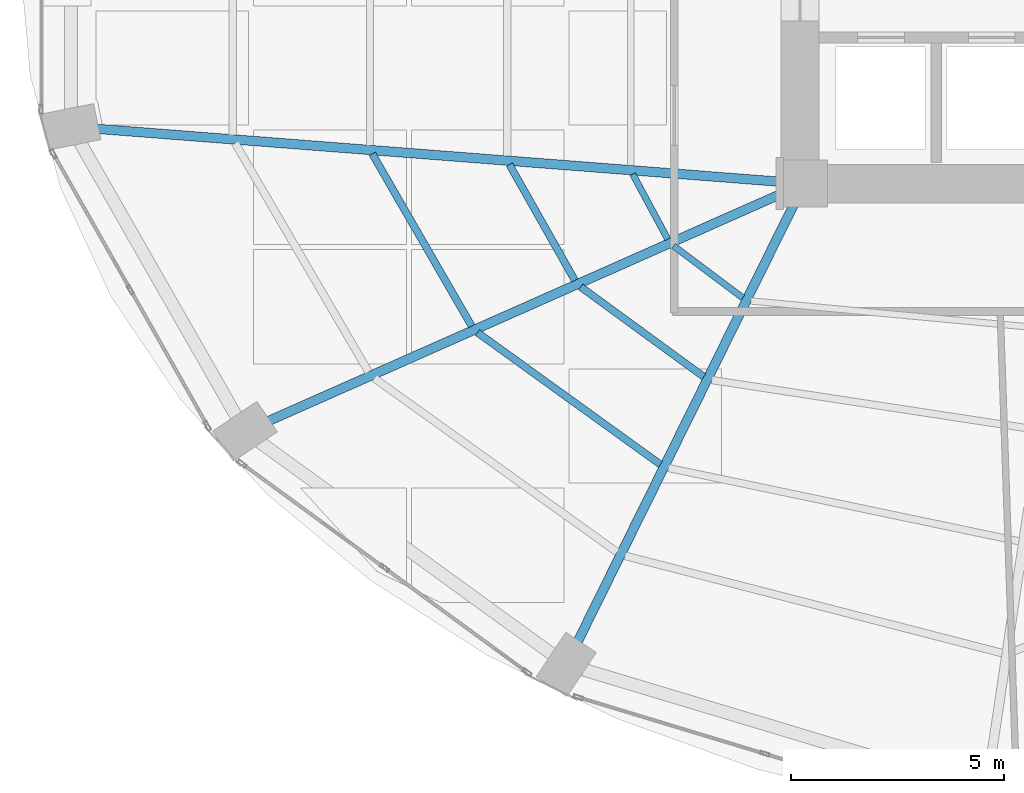
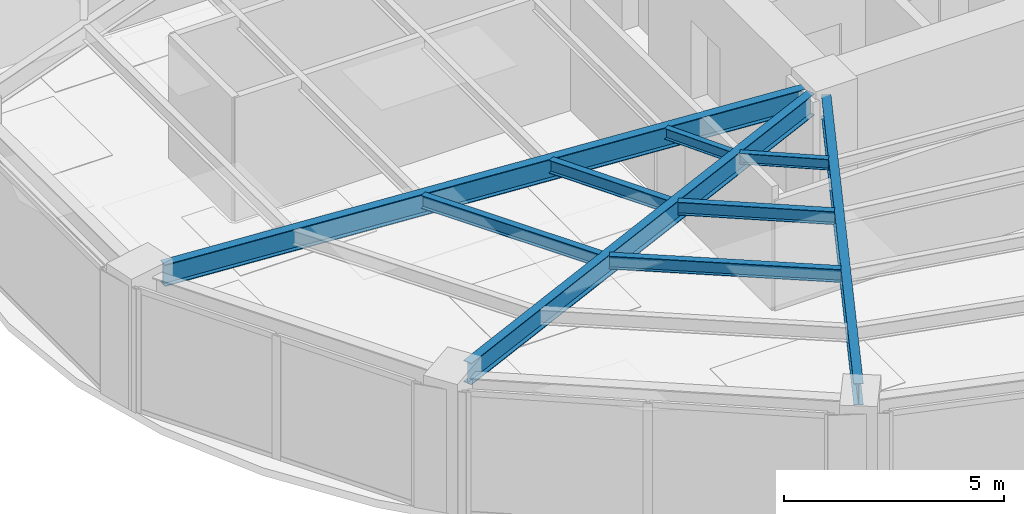
# One storey, part 4 of 24: 9 beams.
"""IFC4 building model written with IfcOpenShell, lengths in metres."""

from ifc_helpers import new_model, si_unit, direction, frame, origin, origin_2d, place, context, subcontext, project, spatial, i_section, extrude, material, material_profile, profile_set, type_object, element, save


model = new_model("IFC4")

# Units and contexts
model_context = context("Model", 3, precision=1e-05, world=origin(), true_north=direction((0.0, 1.0)))
body_context = subcontext(model_context, "Body", "Model", "MODEL_VIEW")
ifc_project = project(units=[si_unit("LENGTHUNIT", "METRE"), si_unit("AREAUNIT", "SQUARE_METRE"), si_unit("VOLUMEUNIT", "CUBIC_METRE"), si_unit("PLANEANGLEUNIT", "RADIAN"), si_unit("MASSUNIT", "GRAM", prefix="KILO")], contexts=[model_context])

# Site, building, storey
site_placement = place(None, origin())
site = spatial("IfcSite", under=ifc_project, at=site_placement, CompositionType="ELEMENT")
building_placement = place(site_placement, origin())
building = spatial("IfcBuilding", under=site, at=building_placement, Name="Lazwardi Medical Tower", CompositionType="ELEMENT")
storey_placement = place(building_placement, frame((0.0, 0.0, 54.384033203125)))
storey = spatial("IfcBuildingStorey", under=building, at=storey_placement, Name="L13", CompositionType="ELEMENT", Elevation=54.384033203125)

# Beams
ifc_material = material(Name="Steel S355", Category="steel")
ifc_material_profile_1 = material_profile(ifc_material, i_section(OverallWidth=0.219970703125, OverallDepth=0.60009765625, WebThickness=0.011962890625, FlangeThickness=0.01904296875, at=origin_2d()), Name="IPE 600")
ifc_profile_set_1 = profile_set([ifc_material_profile_1], Name="Steel S355")
beam_type_1 = type_object("IfcBeamType", Name="BM-RG-W1", PredefinedType="BEAM", material=ifc_profile_set_1)
beam_1_placement = place(storey_placement, frame((9.7783203125, 21.6875, 3.1279296875), z_axis=(0.997013942066, -0.077221754231, 0.0), x_axis=(0.077221754231, 0.997013942066, 0.0)))
element("IfcBeam", 1, at=beam_1_placement, inside=storey, type_object=beam_type_1, Name="Radial girder RG-02 R13 L13", PredefinedType="BEAM", context=body_context, shape_type="SweptSolid", body=[
    extrude(i_section(OverallWidth=0.219970703125, OverallDepth=0.60009765625, WebThickness=0.011962890625, FlangeThickness=0.01904296875, at=origin_2d()), origin(), (0.0, 0.0, 1.0), 16.136474609375),
])
beam_2_placement = place(storey_placement, frame((13.810302734375, 14.82080078125, 3.1279296875), z_axis=(0.914252189566, 0.405145571214, 0.0), x_axis=(-0.405145571214, 0.914252189566, 0.0)))
element("IfcBeam", 2, at=beam_2_placement, inside=storey, type_object=beam_type_1, Name="Radial girder RG-02 R14 L13", PredefinedType="BEAM", context=body_context, shape_type="SweptSolid", body=[
    extrude(i_section(OverallWidth=0.219970703125, OverallDepth=0.60009765625, WebThickness=0.011962890625, FlangeThickness=0.01904296875, at=origin_2d()), origin(), (0.0, 0.0, 1.0), 13.235595703125),
])
beam_3_placement = place(storey_placement, frame((21.076171875, 9.635986328125, 3.1279296875), z_axis=(0.443336723706, 0.896355146922, 0.0), x_axis=(-0.896355146922, 0.443336723706, 0.0)))
element("IfcBeam", 3, at=beam_3_placement, inside=storey, type_object=beam_type_1, Name="Radial girder RG-02 R15 L13", PredefinedType="BEAM", context=body_context, shape_type="SweptSolid", body=[
    extrude(i_section(OverallWidth=0.219970703125, OverallDepth=0.60009765625, WebThickness=0.011962890625, FlangeThickness=0.01904296875, at=origin_2d()), origin(), (0.0, 0.0, 1.0), 11.4736328125),
])
ifc_material_profile_2 = material_profile(ifc_material, i_section(OverallWidth=0.169921875, OverallDepth=0.360107421875, WebThickness=0.008056640625, FlangeThickness=0.0126953125, at=origin_2d()), Name="IPE 360")
ifc_profile_set_2 = profile_set([ifc_material_profile_2], Name="Steel S355")
beam_type_2 = type_object("IfcBeamType", Name="BM-SJ-02", PredefinedType="JOIST", material=ifc_profile_set_2)
beam_4_placement = place(storey_placement, frame((16.26611328125, 21.09814453125, 3.248046875), z_axis=(0.499785866494, -0.866148998529, 0.0), x_axis=(0.866148998529, 0.499785866494, 0.0)))
element("IfcBeam", 4, at=beam_4_placement, inside=storey, type_object=beam_type_2, Name="Secondary joist SJ-02 R2 B13 L13", PredefinedType="JOIST", context=body_context, shape_type="SweptSolid", body=[
    extrude(i_section(OverallWidth=0.169921875, OverallDepth=0.360107421875, WebThickness=0.008056640625, FlangeThickness=0.0126953125, at=origin_2d()), origin(), (0.0, 0.0, 1.0), 4.666015625),
])
beam_5_placement = place(storey_placement, frame((18.73583984375, 16.904296875, 3.248046875), z_axis=(0.811142764961, -0.584848198127, 0.0), x_axis=(0.584848198127, 0.811142764961, 0.0)))
element("IfcBeam", 5, at=beam_5_placement, inside=storey, type_object=beam_type_2, Name="Secondary joist SJ-02 R2 B14 L13", PredefinedType="JOIST", context=body_context, shape_type="SweptSolid", body=[
    extrude(i_section(OverallWidth=0.169921875, OverallDepth=0.360107421875, WebThickness=0.008056640625, FlangeThickness=0.0126953125, at=origin_2d()), origin(), (0.0, 0.0, 1.0), 5.28857421875),
])
beam_6_placement = place(storey_placement, frame((19.48291015625, 20.848388671875, 3.248046875), z_axis=(0.491923287977, -0.870638546554, 0.0), x_axis=(0.870638546554, 0.491923287977, 0.0)))
element("IfcBeam", 6, at=beam_6_placement, inside=storey, type_object=beam_type_2, Name="Secondary joist SJ-02 R3 B13 L13", PredefinedType="JOIST", context=body_context, shape_type="SweptSolid", body=[
    extrude(i_section(OverallWidth=0.169921875, OverallDepth=0.360107421875, WebThickness=0.008056640625, FlangeThickness=0.0126953125, at=origin_2d()), origin(), (0.0, 0.0, 1.0), 3.122802734375),
])
beam_7_placement = place(storey_placement, frame((21.155517578125, 17.976318359375, 3.248046875), z_axis=(0.80770129933, -0.589591902132, 0.0), x_axis=(0.589591902132, 0.80770129933, 0.0)))
element("IfcBeam", 7, at=beam_7_placement, inside=storey, type_object=beam_type_2, Name="Secondary joist SJ-02 R3 B14 L13", PredefinedType="JOIST", context=body_context, shape_type="SweptSolid", body=[
    extrude(i_section(OverallWidth=0.169921875, OverallDepth=0.360107421875, WebThickness=0.008056640625, FlangeThickness=0.0126953125, at=origin_2d()), origin(), (0.0, 0.0, 1.0), 3.5751953125),
])
ifc_material_profile_3 = material_profile(ifc_material, i_section(OverallWidth=0.14990234375, OverallDepth=0.300048828125, WebThickness=0.007080078125, FlangeThickness=0.0107421875, at=origin_2d()), Name="IPE 300")
ifc_profile_set_3 = profile_set([ifc_material_profile_3], Name="Steel S355")
beam_type_3 = type_object("IfcBeamType", Name="BM-SJ-03", PredefinedType="JOIST", material=ifc_profile_set_3)
beam_8_placement = place(storey_placement, frame((22.376953125, 20.623046875, 3.278076171875), z_axis=(0.473982292828, -0.880534375301, 0.0), x_axis=(0.880534375301, 0.473982292828, 0.0)))
element("IfcBeam", 8, at=beam_8_placement, inside=storey, type_object=beam_type_3, Name="Secondary joist SJ-03 R4 B13 L13", PredefinedType="JOIST", context=body_context, shape_type="SweptSolid", body=[
    extrude(i_section(OverallWidth=0.14990234375, OverallDepth=0.300048828125, WebThickness=0.007080078125, FlangeThickness=0.0107421875, at=origin_2d()), origin(), (0.0, 0.0, 1.0), 1.734375),
])
beam_9_placement = place(storey_placement, frame((23.332763671875, 18.9404296875, 3.278076171875), z_axis=(0.800115247939, -0.599846305328, 0.0), x_axis=(0.599846305328, 0.800115247939, 0.0)))
element("IfcBeam", 9, at=beam_9_placement, inside=storey, type_object=beam_type_3, Name="Secondary joist SJ-03 R4 B14 L13", PredefinedType="JOIST", context=body_context, shape_type="SweptSolid", body=[
    extrude(i_section(OverallWidth=0.14990234375, OverallDepth=0.300048828125, WebThickness=0.007080078125, FlangeThickness=0.0107421875, at=origin_2d()), origin(), (0.0, 0.0, 1.0), 2.033447265625),
])

save(model, "model.ifc")
